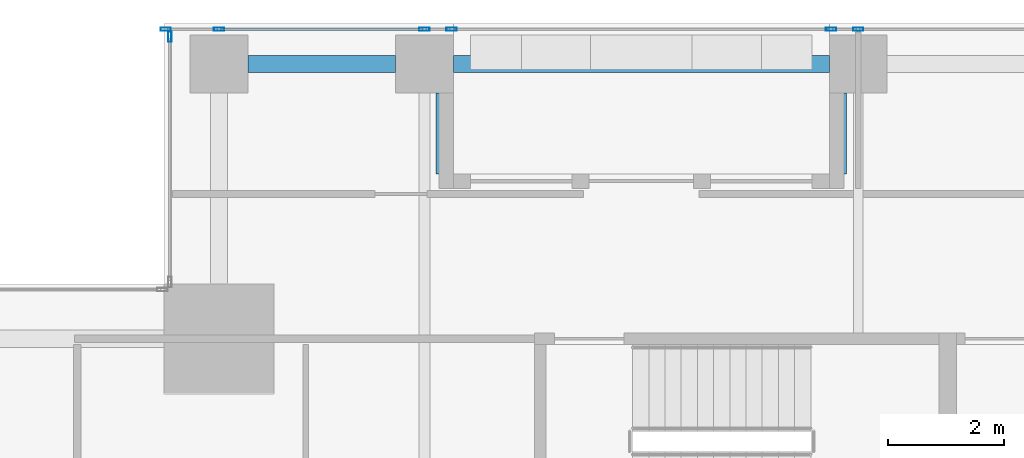
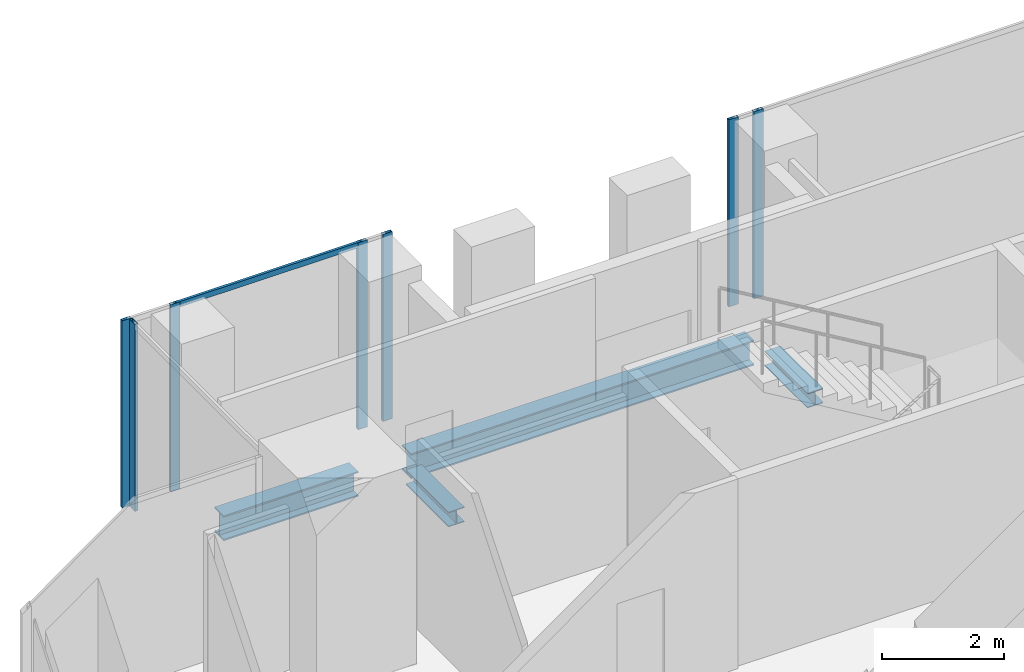
# One storey, part 19 of 38: 8 members, 4 beams, 3 elements without a shape of their own.
"""IFC4 building model written with IfcOpenShell, lengths in metres."""

from ifc_helpers import new_model, si_unit, direction, frame, origin, origin_2d, place, context, subcontext, project, spatial, hollow_rectangle, i_section, extrude, source, transform, mapped, material, material_profile, profile_set, type_object, element, aggregate, save


model = new_model("IFC4")

# Units and contexts
model_context = context("Model", 3, precision=1e-05, world=origin(), true_north=direction((0.0, 1.0)))
body_context = subcontext(model_context, "Body", "Model", "MODEL_VIEW")
ifc_project = project(units=[si_unit("LENGTHUNIT", "METRE"), si_unit("AREAUNIT", "SQUARE_METRE"), si_unit("VOLUMEUNIT", "CUBIC_METRE"), si_unit("PLANEANGLEUNIT", "RADIAN"), si_unit("MASSUNIT", "GRAM", prefix="KILO")], contexts=[model_context])

# Site, building, storey
site_placement = place(None, origin())
site = spatial("IfcSite", under=ifc_project, at=site_placement, CompositionType="ELEMENT")
building_placement = place(site_placement, origin())
building = spatial("IfcBuilding", under=site, at=building_placement, Name="Khomas Fold Tower", CompositionType="ELEMENT")
storey_placement = place(building_placement, frame((0.0, 0.0, 208.699951171875)))
storey = spatial("IfcBuildingStorey", under=building, at=storey_placement, Name="L46", CompositionType="ELEMENT", Elevation=208.699951171875)

# Beams
ifc_material_1 = material(Name="Steel S355", Category="steel")
ifc_material_profile_1 = material_profile(ifc_material_1, i_section(OverallWidth=0.300048828125, OverallDepth=0.5, WebThickness=0.014404296875, FlangeThickness=0.028076171875, at=origin_2d()), Name="HE 500 B")
ifc_profile_set_1 = profile_set([ifc_material_profile_1], Name="Steel S355")
beam_type_1 = type_object("IfcBeamType", Name="HE 500 B spandrel SB3", PredefinedType="SPANDREL", material=ifc_profile_set_1)
shared_shape_1 = source(origin(), body_context, "Body", "SweptSolid", [
    extrude(i_section(OverallWidth=0.300048828125, OverallDepth=0.5, WebThickness=0.014404296875, FlangeThickness=0.028076171875, at=origin_2d()), origin(), (0.0, 0.0, 1.0), 2.550048828125),
])
beam_1_placement = place(storey_placement, frame((8.949951171875, 50.300048828125, -0.5), z_axis=(1.0, 0.0, 0.0), x_axis=(0.0, 1.0, 0.0)))
element("IfcBeam", 1, at=beam_1_placement, inside=storey, type_object=beam_type_1, Name="SB3", PredefinedType="SPANDREL", context=body_context, shape_type="MappedRepresentation", body=[
    mapped(shared_shape_1, transform((0.0, 0.0, 0.0))),
])
shared_shape_2 = source(origin(), body_context, "Body", "SweptSolid", [
    extrude(i_section(OverallWidth=0.300048828125, OverallDepth=0.5, WebThickness=0.014404296875, FlangeThickness=0.028076171875, at=origin_2d()), origin(), (0.0, 0.0, 1.0), 6.5),
])
beam_2_placement = place(storey_placement, frame((12.5, 50.300048828125, -0.5), z_axis=(1.0, 0.0, 0.0), x_axis=(0.0, 1.0, 0.0)))
element("IfcBeam", 2, at=beam_2_placement, inside=storey, type_object=beam_type_1, Name="SB3", PredefinedType="SPANDREL", context=body_context, shape_type="MappedRepresentation", body=[
    mapped(shared_shape_2, transform((0.0, 0.0, 0.0))),
])
ifc_material_2 = material(Name="Steel S355", Category="steel")
ifc_material_profile_2 = material_profile(ifc_material_2, i_section(OverallWidth=0.300048828125, OverallDepth=0.300048828125, WebThickness=0.010986328125, FlangeThickness=0.01904296875, at=origin_2d()), Name="HE 300 B")
ifc_profile_set_2 = profile_set([ifc_material_profile_2], Name="Steel S355")
beam_type_2 = type_object("IfcBeamType", Name="HE 300 B beam BB1", PredefinedType="BEAM", material=ifc_profile_set_2)
shared_shape_3 = source(origin(), body_context, "Body", "SweptSolid", [
    extrude(i_section(OverallWidth=0.300048828125, OverallDepth=0.300048828125, WebThickness=0.010986328125, FlangeThickness=0.01904296875, at=origin_2d()), origin(), (0.0, 0.0, 1.0), 1.400146484375),
])
for number, where, z_axis, x_axis, name in (
    (3, (12.35009765625, 48.39990234375, -0.39990234375), (0.0, 1.0, 0.0), (-1.0, 0.0, 0.0), "BB1"),
    (4, (19.14990234375, 48.39990234375, -0.39990234375), (0.0, 1.0, 0.0), (-1.0, 0.0, 0.0), "BB1"),
):
    element("IfcBeam", number, at=place(storey_placement, frame(where, z_axis=z_axis, x_axis=x_axis)), inside=storey, type_object=beam_type_2, Name=name, PredefinedType="BEAM", context=body_context, shape_type="MappedRepresentation", body=[
        mapped(shared_shape_3, transform((0.0, 0.0, 0.0))),
    ])

# Curtain wall, members
ifc_material_3 = material(Name="Aluminium framed double glazing", Category="aluminium")
curtain_wall_type = type_object("IfcCurtainWallType", Name="SK-Unitised clear-glass wall, office floors CW2", PredefinedType="NOTDEFINED", material=ifc_material_3)
curtain_wall_1_placement = place(storey_placement, origin())
curtain_wall_1 = element("IfcCurtainWall", 5, at=curtain_wall_1_placement, inside=storey, type_object=curtain_wall_type, Name="CW2 run L46 06-1", PredefinedType="NOTDEFINED")
ifc_material_4 = material(Name="Aluminium", Category="aluminium")
ifc_material_profile_3 = material_profile(ifc_material_4, hollow_rectangle(XDim=0.06005859375, YDim=0.179931640625, WallThickness=0.00390625, at=origin_2d()), Name="SK-Unitised clear-glass wall, office floors mullion CW2-M")
ifc_profile_set_3 = profile_set([ifc_material_profile_3], Name="Aluminium")
member_type_1 = type_object("IfcMemberType", Name="SK-Unitised clear-glass wall, office floors mullion CW2-M", PredefinedType="MULLION", material=ifc_profile_set_3)
shared_shape_4 = source(origin(), body_context, "Body", "SweptSolid", [
    extrude(hollow_rectangle(XDim=0.06005859375, YDim=0.179931640625, WallThickness=0.00390625, at=origin_2d()), origin(), (0.0, 0.0, 1.0), 3.75),
])
member_1_placement = place(storey_placement, frame((19.5, 50.89990234375, 0.0), z_axis=(0.0, 0.0, 1.0), x_axis=(0.0, -1.0, 0.0)))
member_1 = element("IfcMember", 6, at=member_1_placement, type_object=member_type_1, Name="CW2 mullion 3", PredefinedType="MULLION", context=body_context, shape_type="MappedRepresentation", body=[
    mapped(shared_shape_4, transform((0.0, 0.0, 0.0))),
])
member_2_placement = place(storey_placement, frame((19.030029296875, 50.89990234375, 0.0), z_axis=(0.0, 0.0, 1.0), x_axis=(0.0, -1.0, 0.0)))
member_2 = element("IfcMember", 7, at=member_2_placement, type_object=member_type_1, Name="CW2 mullion 4", PredefinedType="MULLION", context=body_context, shape_type="MappedRepresentation", body=[
    mapped(shared_shape_4, transform((0.0, 0.0, 0.0))),
])
aggregate(curtain_wall_1, [member_1, member_2])

curtain_wall_2_placement = place(storey_placement, origin())
curtain_wall_2 = element("IfcCurtainWall", 8, at=curtain_wall_2_placement, inside=storey, type_object=curtain_wall_type, Name="CW2 run L46 06-2", PredefinedType="NOTDEFINED")
member_3_placement = place(storey_placement, frame((12.469970703125, 50.89990234375, 0.0), z_axis=(0.0, 0.0, 1.0), x_axis=(0.0, -1.0, 0.0)))
member_3 = element("IfcMember", 9, at=member_3_placement, type_object=member_type_1, Name="CW2 mullion 1", PredefinedType="MULLION", context=body_context, shape_type="MappedRepresentation", body=[
    mapped(shared_shape_4, transform((0.0, 0.0, 0.0))),
])
member_4_placement = place(storey_placement, frame((12.0, 50.89990234375, 0.0), z_axis=(0.0, 0.0, 1.0), x_axis=(0.0, -1.0, 0.0)))
member_4 = element("IfcMember", 10, at=member_4_placement, type_object=member_type_1, Name="CW2 mullion 2", PredefinedType="MULLION", context=body_context, shape_type="MappedRepresentation", body=[
    mapped(shared_shape_4, transform((0.0, 0.0, 0.0))),
])
member_5_placement = place(storey_placement, frame((8.449951171875, 50.89990234375, 0.0), z_axis=(0.0, 0.0, 1.0), x_axis=(0.0, -1.0, 0.0)))
member_5 = element("IfcMember", 11, at=member_5_placement, type_object=member_type_1, Name="CW2 mullion 3", PredefinedType="MULLION", context=body_context, shape_type="MappedRepresentation", body=[
    mapped(shared_shape_4, transform((0.0, 0.0, 0.0))),
])
member_6_placement = place(storey_placement, frame((7.530029296875, 50.89990234375, 0.0), z_axis=(0.0, 0.0, 1.0), x_axis=(0.0, -1.0, 0.0)))
member_6 = element("IfcMember", 12, at=member_6_placement, type_object=member_type_1, Name="CW2 mullion 4", PredefinedType="MULLION", context=body_context, shape_type="MappedRepresentation", body=[
    mapped(shared_shape_4, transform((0.0, 0.0, 0.0))),
])

# Curtain wall, member
curtain_wall_3_placement = place(storey_placement, origin())
curtain_wall_3 = element("IfcCurtainWall", 13, at=curtain_wall_3_placement, inside=storey, type_object=curtain_wall_type, Name="CW2 corner return L46 07", PredefinedType="NOTDEFINED")
member_7_placement = place(storey_placement, frame((7.60009765625, 50.77001953125, 0.0), z_axis=(0.0, 0.0, 1.0), x_axis=(1.0, 0.0, 0.0)))
member_7 = element("IfcMember", 14, at=member_7_placement, type_object=member_type_1, Name="CW2 mullion 1", PredefinedType="MULLION", context=body_context, shape_type="MappedRepresentation", body=[
    mapped(shared_shape_4, transform((0.0, 0.0, 0.0))),
])
aggregate(curtain_wall_3, [member_7])

# Member
ifc_material_5 = material(Name="Aluminium", Category="aluminium")
ifc_material_profile_4 = material_profile(ifc_material_5, hollow_rectangle(XDim=0.050048828125, YDim=0.110107421875, WallThickness=0.00390625, at=origin_2d()), Name="SK-Unitised clear-glass wall, office floors transom CW2-T")
ifc_profile_set_4 = profile_set([ifc_material_profile_4], Name="Aluminium")
member_type_2 = type_object("IfcMemberType", Name="SK-Unitised clear-glass wall, office floors transom CW2-T", PredefinedType="USERDEFINED", material=ifc_profile_set_4)
shared_shape_5 = source(origin(), body_context, "Body", "SweptSolid", [
    extrude(hollow_rectangle(XDim=0.050048828125, YDim=0.110107421875, WallThickness=0.00390625, at=origin_2d()), origin(), (0.0, 0.0, 1.0), 3.489990234375),
])
member_8_placement = place(storey_placement, frame((11.969970703125, 50.89990234375, 3.695068359375), z_axis=(-1.0, 0.0, 0.0), x_axis=(0.0, -1.0, 0.0)))
member_8 = element("IfcMember", 15, at=member_8_placement, type_object=member_type_2, Name="CW2 transom 2", ObjectType="TRANSOM", PredefinedType="USERDEFINED", context=body_context, shape_type="MappedRepresentation", body=[
    mapped(shared_shape_5, transform((0.0, 0.0, 0.0))),
])

aggregate(curtain_wall_2, [member_3, member_4, member_5, member_6, member_8])

save(model, "model.ifc")
